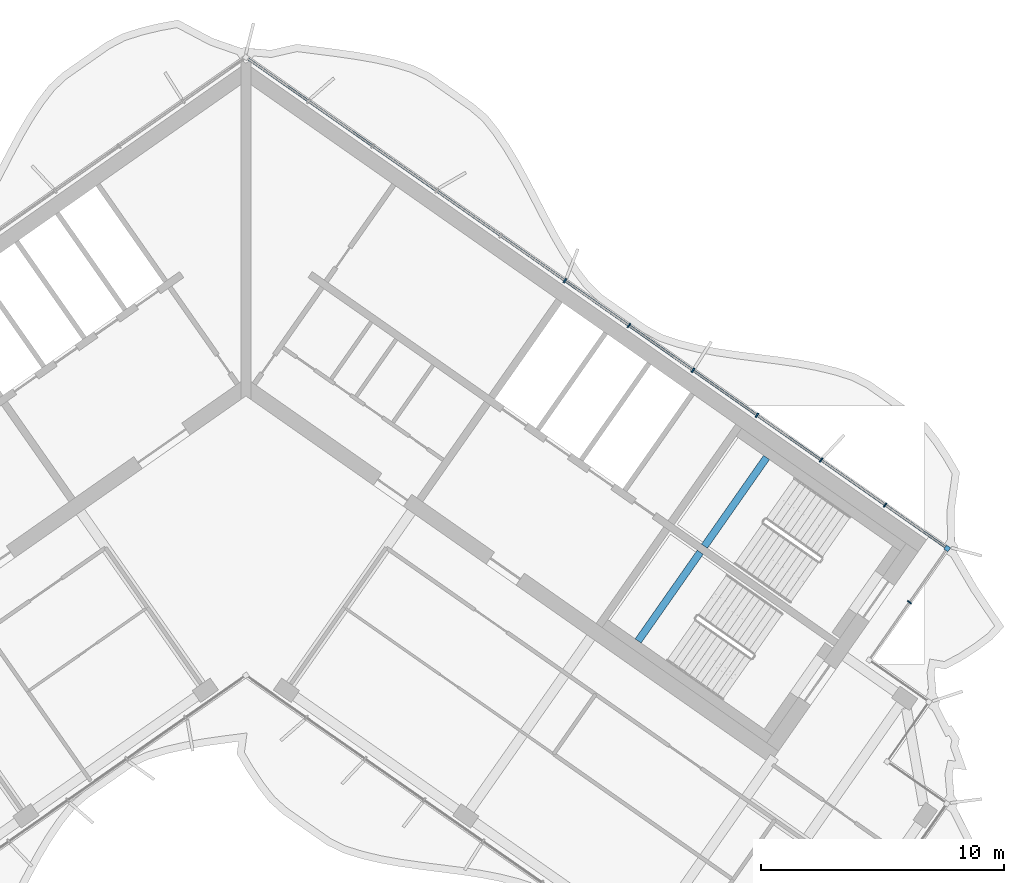
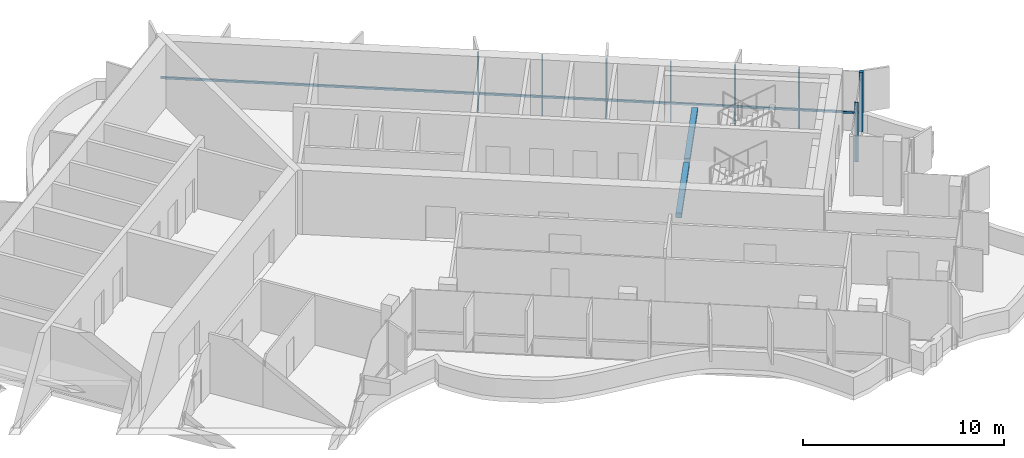
# One storey, part 5 of 18: 9 members, 2 beams, 1 element without a shape of its own.
"""IFC4 building model written with IfcOpenShell, lengths in metres."""

from ifc_helpers import new_model, si_unit, direction, frame, origin, origin_2d, place, context, subcontext, project, spatial, rectangle, extrude, material, material_profile, profile_set, type_object, element, aggregate, save


model = new_model("IFC4")

# Units and contexts
model_context = context("Model", 3, precision=1e-05, world=origin(), true_north=direction((0.0, 1.0)))
body_context = subcontext(model_context, "Body", "Model", "MODEL_VIEW")
ifc_project = project(units=[si_unit("LENGTHUNIT", "METRE"), si_unit("AREAUNIT", "SQUARE_METRE"), si_unit("VOLUMEUNIT", "CUBIC_METRE"), si_unit("PLANEANGLEUNIT", "RADIAN"), si_unit("MASSUNIT", "GRAM", prefix="KILO")], contexts=[model_context])

# Site, building, storey
site_placement = place(None, origin())
site = spatial("IfcSite", under=ifc_project, at=site_placement, CompositionType="ELEMENT")
building_placement = place(site_placement, origin())
building = spatial("IfcBuilding", under=site, at=building_placement, Name="Tel Ilan Convention Tower", CompositionType="ELEMENT")
storey_placement = place(building_placement, frame((0.0, 0.0, 295.60009765625)))
storey = spatial("IfcBuildingStorey", under=building, at=storey_placement, Name="L70", CompositionType="ELEMENT", Elevation=295.60009765625)

# Curtain wall, members
ifc_material_1 = material(Name="Aluminium, bronze anodised", Category="aluminium")
curtain_wall_type = type_object("IfcCurtainWallType", Name="CW2 STICK CURTAIN WALL, SPANDREL PANELS", PredefinedType="NOTDEFINED", material=ifc_material_1)
curtain_wall_placement = place(storey_placement, origin())
curtain_wall = element("IfcCurtainWall", 1, at=curtain_wall_placement, inside=storey, type_object=curtain_wall_type, Name="Curtain wall CW2-53.01", PredefinedType="NOTDEFINED")
ifc_material_2 = material(Name="Aluminium, bronze anodised", Category="aluminium")
ifc_material_profile_1 = material_profile(ifc_material_2, rectangle(XDim=0.199951171875, YDim=0.199951171875, at=origin_2d()), Name="CW CORNER MULLION 200x200")
ifc_profile_set_1 = profile_set([ifc_material_profile_1], Name="Aluminium, bronze anodised")
member_type_1 = type_object("IfcMemberType", Name="CW CORNER MULLION 200x200", PredefinedType="MULLION", material=ifc_profile_set_1)
member_1_placement = place(storey_placement, frame((28.819580078125, -7.483642578125, 0.0), z_axis=(0.0, 0.0, 1.0), x_axis=(0.573576436351, 0.819152044289, 0.0)))
member_1 = element("IfcMember", 2, at=member_1_placement, type_object=member_type_1, Name="Corner mullion", PredefinedType="MULLION", context=body_context, shape_type="SweptSolid", body=[
    extrude(rectangle(XDim=0.199951171875, YDim=0.199951171875, at=origin_2d()), origin(), (0.0, 0.0, 1.0), 3.619873046875),
])
ifc_material_3 = material(Name="Aluminium, bronze anodised", Category="aluminium")
ifc_material_profile_2 = material_profile(ifc_material_3, rectangle(XDim=0.06005859375, YDim=0.199951171875, at=origin_2d()), Name="CW MULLION 60x200")
ifc_profile_set_2 = profile_set([ifc_material_profile_2], Name="Aluminium, bronze anodised")
member_type_2 = type_object("IfcMemberType", Name="CW MULLION 60x200", PredefinedType="MULLION", material=ifc_profile_set_2)
member_2_placement = place(storey_placement, frame((27.27099609375, -9.6953125, 0.0), z_axis=(0.0, 0.0, 1.0), x_axis=(0.573576436351, 0.819152044289, 0.0)))
member_2 = element("IfcMember", 3, at=member_2_placement, type_object=member_type_2, Name="Mullion", PredefinedType="MULLION", context=body_context, shape_type="SweptSolid", body=[
    extrude(rectangle(XDim=0.06005859375, YDim=0.199951171875, at=origin_2d()), origin(), (0.0, 0.0, 1.0), 3.619873046875),
])
member_3_placement = place(storey_placement, frame((26.268798828125, -5.697509765625, 0.0), z_axis=(0.0, 0.0, 1.0), x_axis=(-0.819152044289, 0.573576436351, 0.0)))
member_3 = element("IfcMember", 4, at=member_3_placement, type_object=member_type_2, Name="Mullion", PredefinedType="MULLION", context=body_context, shape_type="SweptSolid", body=[
    extrude(rectangle(XDim=0.06005859375, YDim=0.199951171875, at=origin_2d()), origin(), (0.0, 0.0, 1.0), 3.619873046875),
])
member_4_placement = place(storey_placement, frame((23.63623046875, -3.854248046875, 0.0), z_axis=(0.0, 0.0, 1.0), x_axis=(-0.819152044289, 0.573576436351, 0.0)))
member_4 = element("IfcMember", 5, at=member_4_placement, type_object=member_type_2, Name="Mullion", PredefinedType="MULLION", context=body_context, shape_type="SweptSolid", body=[
    extrude(rectangle(XDim=0.06005859375, YDim=0.199951171875, at=origin_2d()), origin(), (0.0, 0.0, 1.0), 3.619873046875),
])
member_5_placement = place(storey_placement, frame((21.003662109375, -2.0107421875, 0.0), z_axis=(0.0, 0.0, 1.0), x_axis=(-0.819152044289, 0.573576436351, 0.0)))
member_5 = element("IfcMember", 6, at=member_5_placement, type_object=member_type_2, Name="Mullion", PredefinedType="MULLION", context=body_context, shape_type="SweptSolid", body=[
    extrude(rectangle(XDim=0.06005859375, YDim=0.199951171875, at=origin_2d()), origin(), (0.0, 0.0, 1.0), 3.619873046875),
])
member_6_placement = place(storey_placement, frame((18.37109375, -0.16748046875, 0.0), z_axis=(0.0, 0.0, 1.0), x_axis=(-0.819152044289, 0.573576436351, 0.0)))
member_6 = element("IfcMember", 7, at=member_6_placement, type_object=member_type_2, Name="Mullion", PredefinedType="MULLION", context=body_context, shape_type="SweptSolid", body=[
    extrude(rectangle(XDim=0.06005859375, YDim=0.199951171875, at=origin_2d()), origin(), (0.0, 0.0, 1.0), 3.619873046875),
])
member_7_placement = place(storey_placement, frame((15.73828125, 1.676025390625, 0.0), z_axis=(0.0, 0.0, 1.0), x_axis=(-0.819152044289, 0.573576436351, 0.0)))
member_7 = element("IfcMember", 8, at=member_7_placement, type_object=member_type_2, Name="Mullion", PredefinedType="MULLION", context=body_context, shape_type="SweptSolid", body=[
    extrude(rectangle(XDim=0.06005859375, YDim=0.199951171875, at=origin_2d()), origin(), (0.0, 0.0, 1.0), 3.619873046875),
])
member_8_placement = place(storey_placement, frame((13.105712890625, 3.519287109375, 0.0), z_axis=(0.0, 0.0, 1.0), x_axis=(-0.819152044289, 0.573576436351, 0.0)))
member_8 = element("IfcMember", 9, at=member_8_placement, type_object=member_type_2, Name="Mullion", PredefinedType="MULLION", context=body_context, shape_type="SweptSolid", body=[
    extrude(rectangle(XDim=0.06005859375, YDim=0.199951171875, at=origin_2d()), origin(), (0.0, 0.0, 1.0), 3.619873046875),
])
ifc_material_4 = material(Name="Aluminium, bronze anodised", Category="aluminium")
ifc_material_profile_3 = material_profile(ifc_material_4, rectangle(XDim=0.10009765625, YDim=0.1201171875, at=origin_2d()), Name="CW TRANSOM 100x120")
ifc_profile_set_3 = profile_set([ifc_material_profile_3], Name="Aluminium, bronze anodised")
member_type_3 = type_object("IfcMemberType", Name="CW TRANSOM 100x120", PredefinedType="USERDEFINED", material=ifc_profile_set_3)
member_9_placement = place(storey_placement, frame((28.737548828125, -7.42626953125, 1.099853515625), z_axis=(-0.819150201937, 0.573579067494, 0.0), x_axis=(-0.573579067494, -0.819150201937, 0.0)))
member_9 = element("IfcMember", 10, at=member_9_placement, type_object=member_type_3, Name="Transom", ObjectType="TRANSOM", PredefinedType="USERDEFINED", context=body_context, shape_type="SweptSolid", body=[
    extrude(rectangle(XDim=0.10009765625, YDim=0.1201171875, at=origin_2d()), origin(), (0.0, 0.0, 1.0), 34.9521484375),
])
aggregate(curtain_wall, [member_2, member_1, member_3, member_4, member_5, member_6, member_7, member_8, member_9])

# Beams
ifc_material_5 = material(Name="Concrete C40/50", Category="concrete")
ifc_material_profile_4 = material_profile(ifc_material_5, rectangle(XDim=0.300048828125, YDim=0.300048828125, at=origin_2d()), Name="RC 300x300")
ifc_profile_set_4 = profile_set([ifc_material_profile_4], Name="Concrete C40/50")
beam_type = type_object("IfcBeamType", Name="Landing Beam RC 300x300 Concrete C40/50", PredefinedType="BEAM", material=ifc_profile_set_4)
beam_1_placement = place(storey_placement, frame((21.39404296875, -3.7490234375, 1.599853515625), z_axis=(-0.573547030514, -0.819172633691, 0.0), x_axis=(0.819172633691, -0.573547030514, 0.0)))
element("IfcBeam", 11, at=beam_1_placement, inside=storey, type_object=beam_type, Name="S3 landing beam L70.1", PredefinedType="BEAM", context=body_context, shape_type="SweptSolid", body=[
    extrude(rectangle(XDim=0.300048828125, YDim=0.300048828125, at=origin_2d()), origin(), (0.0, 0.0, 1.0), 4.449951171875),
])
beam_2_placement = place(storey_placement, frame((18.669677734375, -7.64013671875, 1.599853515625), z_axis=(-0.573583844845, -0.819146856756, 0.0), x_axis=(0.819146856756, -0.573583844845, 0.0)))
element("IfcBeam", 12, at=beam_2_placement, inside=storey, type_object=beam_type, Name="S4 landing beam L70.1", PredefinedType="BEAM", context=body_context, shape_type="SweptSolid", body=[
    extrude(rectangle(XDim=0.300048828125, YDim=0.300048828125, at=origin_2d()), origin(), (0.0, 0.0, 1.0), 4.4501953125),
])

save(model, "model.ifc")
